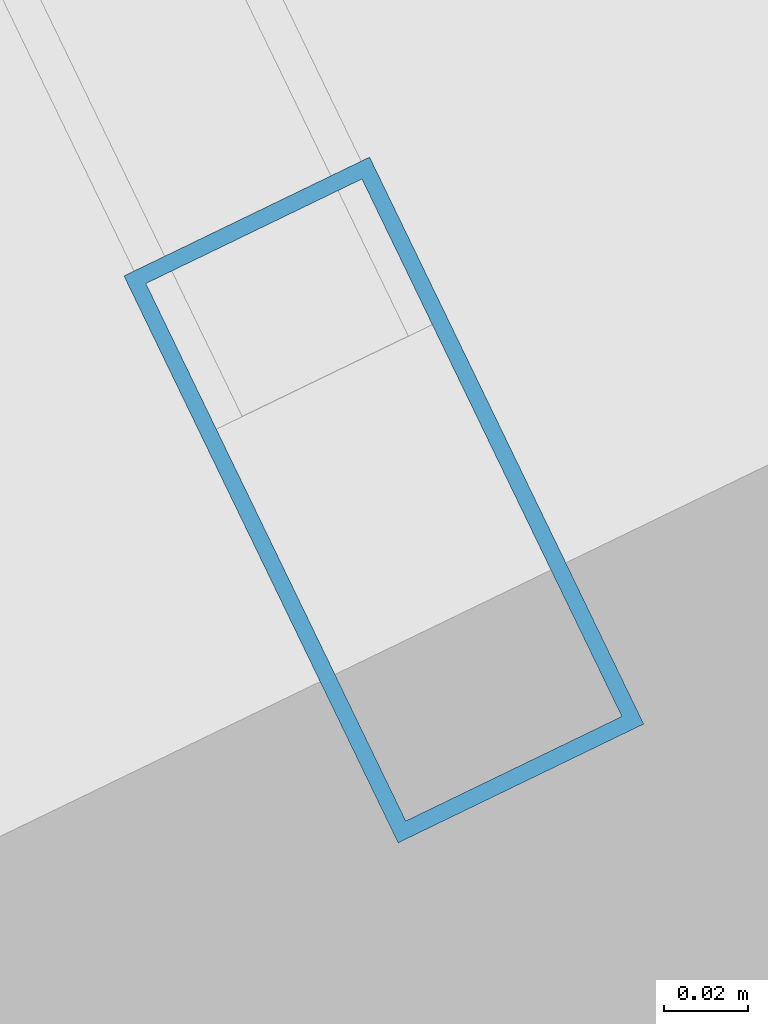
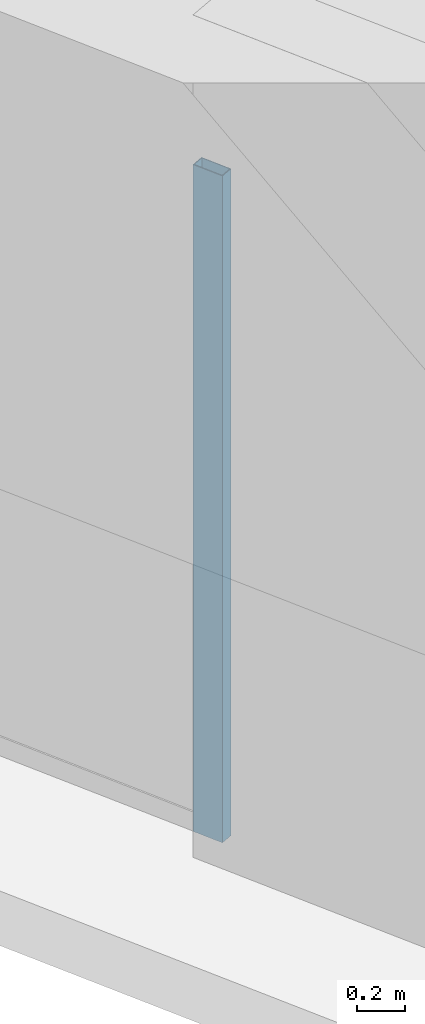
# One storey, part 12 of 39: 1 member, 1 element without a shape of its own.
"""IFC4 building model written with IfcOpenShell, lengths in metres."""

import ifcopenshell
import ifcopenshell.guid

model = None  # the IFC model being written
_history = None  # IfcOwnerHistory: only IFC2X3 demands one
_inside = {}  # id of a spatial element -> (the spatial element, [elements in it])
_under = {}  # id of a project, library or spatial element -> (it, [spatial elements below it])
_declared = {}  # id of a project -> (the project, [libraries it declares])
_typed = {}  # id of a type object -> (the type object, [elements of that type])
_made_of = {}  # id of a material, layer set ... -> (it, [elements and type objects made of it])


def new_model(schema):
    """Start an empty IFC model of exactly this schema.

    Asked for "IFC4X3", IfcOpenShell would pick the latest addendum, in which some entities
    have other attributes; the version numbers below select the first issue.
    IFC2X3 requires an IfcOwnerHistory on every rooted entity: one is made here for all.
    """
    global model, _history
    if schema == "IFC4X3":
        model = ifcopenshell.file(schema_version=(4, 3, 0, 0))
    else:
        model = ifcopenshell.file(schema=schema)
    _inside.clear()
    _under.clear()
    _declared.clear()
    _typed.clear()
    _made_of.clear()
    _history = None
    if model.schema == "IFC2X3":
        org = make("IfcOrganization", Name="unknown")
        user = make(
            "IfcPersonAndOrganization",
            ThePerson=make("IfcPerson", FamilyName="unknown"),
            TheOrganization=org,
        )
        app = make(
            "IfcApplication",
            ApplicationDeveloper=org,
            Version="unknown",
            ApplicationFullName="unknown",
            ApplicationIdentifier="unknown",
        )
        _history = make(
            "IfcOwnerHistory",
            OwningUser=user,
            OwningApplication=app,
            ChangeAction="ADDED",
            CreationDate=0,
        )
    return model


def make(cls, **values):
    """One entity of the class cls with the attributes given. An attribute that is None is left unset."""
    return model.create_entity(
        cls, **{name: value for name, value in values.items() if value is not None}
    )


def rooted(cls, **values):
    """An entity with a GlobalId (a new one), such as an element, a storey or a relation."""
    return make(cls, GlobalId=ifcopenshell.guid.new(), OwnerHistory=_history, **values)


def si_unit(unit_type, name, prefix=None):
    """IfcSIUnit, for example si_unit("LENGTHUNIT", "METRE", prefix="MILLI")."""
    return make("IfcSIUnit", UnitType=unit_type, Prefix=prefix, Name=name)


def assignment(units):
    """IfcUnitAssignment: the units of a project."""
    return None if units is None else make("IfcUnitAssignment", Units=units)


def point(xyz):
    """IfcCartesianPoint."""
    return None if xyz is None else make("IfcCartesianPoint", Coordinates=xyz)


def direction(xyz):
    """IfcDirection."""
    return None if xyz is None else make("IfcDirection", DirectionRatios=xyz)


def frame(location, z_axis=None, x_axis=None):
    """IfcAxis2Placement3D, a coordinate frame: its origin and axes. An axis left out is left unset."""
    return make(
        "IfcAxis2Placement3D",
        Location=point(location),
        Axis=direction(z_axis),
        RefDirection=direction(x_axis),
    )


def frame_2d(location, x_axis=None):
    """IfcAxis2Placement2D, a coordinate frame in the plane: its origin and x axis."""
    return make(
        "IfcAxis2Placement2D", Location=point(location), RefDirection=direction(x_axis)
    )


def origin():
    """The frame at (0, 0, 0) with its axes left unset."""
    return frame((0.0, 0.0, 0.0))


def origin_2d():
    """The frame at (0, 0) in the plane with its x axis left unset."""
    return frame_2d((0.0, 0.0))


def place(relative_to, where):
    """IfcLocalPlacement: puts the frame where relative to a parent placement (None: the world)."""
    return make(
        "IfcLocalPlacement", PlacementRelTo=relative_to, RelativePlacement=where
    )


def context(
    kind, dimensions, precision=None, world=None, true_north=None, identifier=None
):
    """IfcGeometricRepresentationContext, for example the 3D "Model" context."""
    return make(
        "IfcGeometricRepresentationContext",
        ContextIdentifier=identifier,
        ContextType=kind,
        CoordinateSpaceDimension=dimensions,
        Precision=precision,
        WorldCoordinateSystem=world,
        TrueNorth=true_north,
    )


def subcontext(parent, identifier, kind, view, scale=None):
    """IfcGeometricRepresentationSubContext, for example "Body" below "Model"."""
    return make(
        "IfcGeometricRepresentationSubContext",
        ContextIdentifier=identifier,
        ContextType=kind,
        ParentContext=parent,
        TargetScale=scale,
        TargetView=view,
    )


def project(units=None, contexts=None):
    """IfcProject with its units and contexts."""
    return rooted(
        "IfcProject",
        Name="project",
        RepresentationContexts=contexts,
        UnitsInContext=assignment(units),
    )


def spatial(cls, under=None, at=None, **own):
    """A site, building, storey or space (cls), placed at a placement, below another one or the project."""
    s = rooted(cls, ObjectPlacement=at, **own)
    if under is not None:
        _under.setdefault(under.id(), (under, []))[1].append(s)
    return s


def profile(cls, at=None, kind="AREA", **sizes):
    """A parametric profile (cls). Its sizes go by their IFC names, for example OverallWidth=200.0."""
    return make(cls, ProfileType=kind, Position=at, **sizes)


def hollow_rectangle(**sizes):
    """IfcRectangleHollowProfileDef."""
    return profile("IfcRectangleHollowProfileDef", **sizes)


def extrude(swept, where, along, depth):
    """IfcExtrudedAreaSolid: the profile swept, set in the frame where, extruded along a direction by depth."""
    return make(
        "IfcExtrudedAreaSolid",
        SweptArea=swept,
        Position=where,
        ExtrudedDirection=direction(along),
        Depth=depth,
    )


def shape(context_of_items, identifier, shape_type, items):
    """IfcShapeRepresentation: the items that make up one representation, for example the "Body"."""
    return make(
        "IfcShapeRepresentation",
        ContextOfItems=context_of_items,
        RepresentationIdentifier=identifier,
        RepresentationType=shape_type,
        Items=items,
    )


def source(mapping_origin, context_of_items, identifier, shape_type, items):
    """IfcRepresentationMap: a shape defined once, which mapped items show again and again."""
    return make(
        "IfcRepresentationMap",
        MappingOrigin=mapping_origin,
        MappedRepresentation=shape(context_of_items, identifier, shape_type, items),
    )


def transform(
    local_origin,
    x_axis=None,
    y_axis=None,
    z_axis=None,
    scale=None,
    scale2=None,
    scale3=None,
    uniform=True,
):
    """IfcCartesianTransformationOperator3D, or its non-uniform kind. x_axis, y_axis, z_axis: its Axis1, 2, 3."""
    if uniform:
        return make(
            "IfcCartesianTransformationOperator3D",
            Axis1=direction(x_axis),
            Axis2=direction(y_axis),
            LocalOrigin=point(local_origin),
            Scale=scale,
            Axis3=direction(z_axis),
        )
    return make(
        "IfcCartesianTransformationOperator3DnonUniform",
        Axis1=direction(x_axis),
        Axis2=direction(y_axis),
        LocalOrigin=point(local_origin),
        Scale=scale,
        Axis3=direction(z_axis),
        Scale2=scale2,
        Scale3=scale3,
    )


def mapped(mapping_source, mapping_target):
    """IfcMappedItem: shows the shape of a source again, moved by a transform."""
    return make(
        "IfcMappedItem", MappingSource=mapping_source, MappingTarget=mapping_target
    )


def material(Name=None, Category=None):
    """IfcMaterial."""
    return make("IfcMaterial", Name=Name, Category=Category)


def layer(
    of_material, thickness, ventilated=None, Name=None, Category=None, Priority=None
):
    """IfcMaterialLayer: one layer of a wall or slab, of a material (None: an air gap)."""
    return make(
        "IfcMaterialLayer",
        Material=of_material,
        LayerThickness=thickness,
        IsVentilated=ventilated,
        Name=Name,
        Category=Category,
        Priority=Priority,
    )


def layer_set(layers, Name=None):
    """IfcMaterialLayerSet."""
    return make("IfcMaterialLayerSet", MaterialLayers=layers, LayerSetName=Name)


def material_profile(
    of_material, cross_section, Name=None, Category=None, Priority=None
):
    """IfcMaterialProfile: a cross section and its material."""
    return make(
        "IfcMaterialProfile",
        Name=Name,
        Material=of_material,
        Profile=cross_section,
        Priority=Priority,
        Category=Category,
    )


def profile_set(profiles, Name=None, composite=None):
    """IfcMaterialProfileSet."""
    return make(
        "IfcMaterialProfileSet",
        Name=Name,
        MaterialProfiles=profiles,
        CompositeProfile=composite,
    )


def made_of(thing, what):
    """Note that an element or type object is made of a material, layer set ...; save() writes the relation."""
    if what is not None:
        _made_of.setdefault(what.id(), (what, []))[1].append(thing)
    return thing


def type_object(cls, material=None, **own):
    """A type object (cls), such as IfcWallType, which elements share."""
    return made_of(rooted(cls, **own), material)


def element(
    cls,
    number,
    at=None,
    inside=None,
    cuts=None,
    type_object=None,
    material=None,
    context=None,
    identifier="Body",
    shape_type=None,
    held_by="IfcProductDefinitionShape",
    body=None,
    shapes=None,
    **own,
):
    """One element of the class cls, such as IfcWall. Its Tag is "e" and its number.

    at: its placement. inside: the storey or other place that contains it. cuts: it is an
    opening in that element (IfcRelVoidsElement). A single representation is given by context,
    identifier, shape_type and body (its items); several are given by shapes. held_by: the class
    of the entity that holds the representations. save() writes the other relations.
    """
    e = rooted(cls, Tag="e%d" % number, ObjectPlacement=at, **own)
    if body is not None:
        shapes = [shape(context, identifier, shape_type, body)]
    if shapes is not None:
        e.Representation = make(held_by, Representations=shapes)
    if inside is not None:
        _inside.setdefault(inside.id(), (inside, []))[1].append(e)
    if cuts is not None:
        rooted(
            "IfcRelVoidsElement", RelatingBuildingElement=cuts, RelatedOpeningElement=e
        )
    if type_object is not None:
        _typed.setdefault(type_object.id(), (type_object, []))[1].append(e)
    return made_of(e, material)


def aggregate(whole, parts):
    """IfcRelAggregates: a whole, such as a stair, and the parts it consists of."""
    return rooted("IfcRelAggregates", RelatingObject=whole, RelatedObjects=parts)


def save(model, path):
    """Write the relations noted so far, then the file.

    IfcRelAggregates (storeys below a building ...), IfcRelContainedInSpatialStructure (elements
    in a storey), IfcRelDefinesByType, IfcRelAssociatesMaterial and IfcRelDeclares: one each for
    every whole, place, type object, material and project.
    """
    for whole, parts in _under.values():
        aggregate(whole, parts)
    for where, things in _inside.values():
        rooted(
            "IfcRelContainedInSpatialStructure",
            RelatedElements=things,
            RelatingStructure=where,
        )
    for kind, things in _typed.values():
        rooted("IfcRelDefinesByType", RelatedObjects=things, RelatingType=kind)
    for what, things in _made_of.values():
        rooted("IfcRelAssociatesMaterial", RelatedObjects=things, RelatingMaterial=what)
    for by, libraries in _declared.values():
        rooted("IfcRelDeclares", RelatingContext=by, RelatedDefinitions=libraries)
    model.write(path)


model = new_model("IFC4")

# Units and contexts
model_context = context("Model", 3, precision=1e-05, world=origin(), true_north=direction((0.0, 1.0)))
body_context = subcontext(model_context, "Body", "Model", "MODEL_VIEW")
ifc_project = project(units=[si_unit("LENGTHUNIT", "METRE"), si_unit("AREAUNIT", "SQUARE_METRE"), si_unit("VOLUMEUNIT", "CUBIC_METRE"), si_unit("PLANEANGLEUNIT", "RADIAN"), si_unit("MASSUNIT", "GRAM", prefix="KILO")], contexts=[model_context])

# Site, building, storey
site_placement = place(None, origin())
site = spatial("IfcSite", under=ifc_project, at=site_placement, CompositionType="ELEMENT")
building_placement = place(site_placement, origin())
building = spatial("IfcBuilding", under=site, at=building_placement, Name="Liaohun Quay Tower", CompositionType="ELEMENT")
storey_placement = place(building_placement, frame((0.0, 0.0, 189.75)))
storey = spatial("IfcBuildingStorey", under=building, at=storey_placement, Name="L49", CompositionType="ELEMENT", Elevation=189.75)

# Curtain wall, member
ifc_material_1 = material(Name="Mid-height zone-break sky-lobby curtain wall")
ifc_layer = layer(ifc_material_1, 0.199951171875, Name="Mid-height zone-break sky-lobby curtain wall")
ifc_layer_set = layer_set([ifc_layer], Name="Mid-height zone-break sky-lobby curtain wall")
curtain_wall_type = type_object("IfcCurtainWallType", Name="CW-SKY-L49", PredefinedType="NOTDEFINED", material=ifc_layer_set)
curtain_wall_placement = place(storey_placement, origin())
curtain_wall = element("IfcCurtainWall", 1, at=curtain_wall_placement, inside=storey, type_object=curtain_wall_type, Name="L49 Panoramic Belvedere Curtain Wall 05", PredefinedType="NOTDEFINED")
ifc_material_2 = material(Name="Anodised aluminium 6063-T6", Category="aluminium")
ifc_material_profile = material_profile(ifc_material_2, hollow_rectangle(XDim=0.06494140625, YDim=0.14990234375, WallThickness=0.00390625, at=origin_2d()), Name="RHS150x65x4")
ifc_profile_set = profile_set([ifc_material_profile], Name="Anodised aluminium 6063-T6")
member_type = type_object("IfcMemberType", Name="MEM-CWM-SKY", PredefinedType="MULLION", material=ifc_profile_set)
shared_shape = source(origin(), body_context, "Body", "SweptSolid", [
    extrude(hollow_rectangle(XDim=0.06494140625, YDim=0.14990234375, WallThickness=0.00390625, at=origin_2d()), origin(), (0.0, 0.0, 1.0), 3.419921875),
])
member_placement = place(storey_placement, frame((32.927734375, 52.701171875, 0.0), z_axis=(0.0, 0.0, 1.0), x_axis=(0.900256072744, 0.435360773943, 0.0)))
member = element("IfcMember", 2, at=member_placement, type_object=member_type, Name="CW4 mullion 3", PredefinedType="MULLION", context=body_context, shape_type="MappedRepresentation", body=[
    mapped(shared_shape, transform((0.0, 0.0, 0.0), x_axis=(1.0, 0.0, 0.0), y_axis=(0.0, 1.0, 0.0), z_axis=(0.0, 0.0, 1.0), scale=1.0)),
])
aggregate(curtain_wall, [member])

save(model, "model.ifc")
